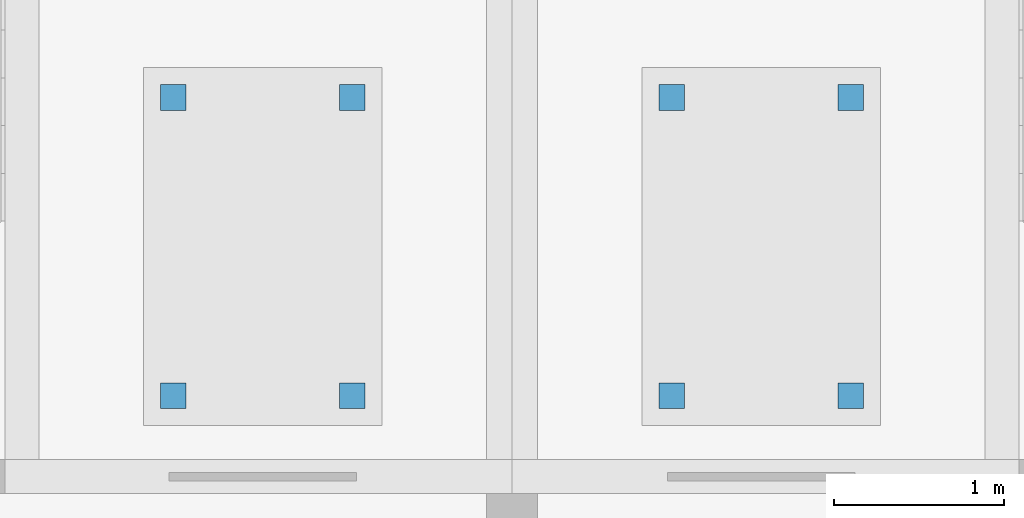
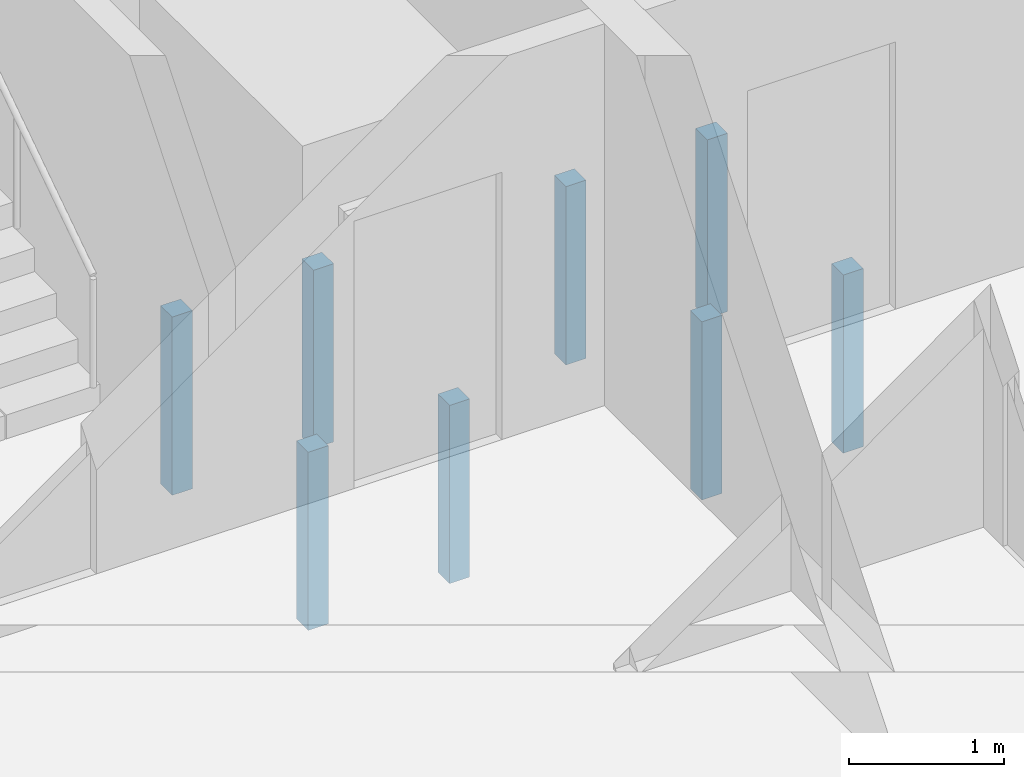
# One storey, part 82 of 112: 8 discrete accessories.
"""IFC4 building model written with IfcOpenShell, lengths in metres."""

from ifc_helpers import new_model, si_unit, direction, frame, origin, origin_2d, place, context, subcontext, project, spatial, rectangle, extrude, material, type_object, element, save


model = new_model("IFC4")

# Units and contexts
model_context = context("Model", 3, precision=1e-05, world=origin(), true_north=direction((0.0, 1.0)))
body_context = subcontext(model_context, "Body", "Model", "MODEL_VIEW")
ifc_project = project(units=[si_unit("LENGTHUNIT", "METRE"), si_unit("AREAUNIT", "SQUARE_METRE"), si_unit("VOLUMEUNIT", "CUBIC_METRE"), si_unit("PLANEANGLEUNIT", "RADIAN"), si_unit("MASSUNIT", "GRAM", prefix="KILO")], contexts=[model_context])

# Site, building, storey
site_placement = place(None, origin())
site = spatial("IfcSite", under=ifc_project, at=site_placement, CompositionType="ELEMENT")
building_placement = place(site_placement, origin())
building = spatial("IfcBuilding", under=site, at=building_placement, Name="Ridgestep Commons", CompositionType="ELEMENT")
storey_placement = place(building_placement, origin())
storey = spatial("IfcBuildingStorey", under=building, at=storey_placement, Name="L00", CompositionType="ELEMENT", Elevation=0.0)

# Discrete accessories
ifc_material = material(Name="Structural steel S355JR", Category="steel")
discrete_accessory_type = type_object("IfcDiscreteAccessoryType", Name="Lift buffer stand 150 x 150", PredefinedType="BRACKET", material=ifc_material)
for number, where, z_axis, x_axis, name in (
    (1, (228.8125, 72.574951171875, -1.39990234375), (0.0, 0.0, 1.0), (1.0, 0.0, 0.0), "Lift buffer stand C5C 1"),
    (2, (229.862548828125, 72.574951171875, -1.39990234375), (0.0, 0.0, 1.0), (1.0, 0.0, 0.0), "Lift buffer stand C5C 2"),
    (3, (228.8125, 74.324951171875, -1.39990234375), (0.0, 0.0, 1.0), (1.0, 0.0, 0.0), "Lift buffer stand C5C 3"),
    (4, (229.862548828125, 74.324951171875, -1.39990234375), (0.0, 0.0, 1.0), (1.0, 0.0, 0.0), "Lift buffer stand C5C 4"),
    (5, (231.737548828125, 72.574951171875, -1.39990234375), (0.0, 0.0, 1.0), (1.0, 0.0, 0.0), "Lift buffer stand C6C 1"),
    (6, (232.78759765625, 72.574951171875, -1.39990234375), (0.0, 0.0, 1.0), (1.0, 0.0, 0.0), "Lift buffer stand C6C 2"),
    (7, (231.737548828125, 74.324951171875, -1.39990234375), (0.0, 0.0, 1.0), (1.0, 0.0, 0.0), "Lift buffer stand C6C 3"),
    (8, (232.78759765625, 74.324951171875, -1.39990234375), (0.0, 0.0, 1.0), (1.0, 0.0, 0.0), "Lift buffer stand C6C 4"),
):
    element("IfcDiscreteAccessory", number, at=place(storey_placement, frame(where, z_axis=z_axis, x_axis=x_axis)), inside=storey, type_object=discrete_accessory_type, Name=name, PredefinedType="BRACKET", context=body_context, shape_type="SweptSolid", body=[
        extrude(rectangle(XDim=0.14990234375, YDim=0.14990234375, at=origin_2d()), origin(), (0.0, 0.0, 1.0), 1.39990234375),
    ])

save(model, "model.ifc")
